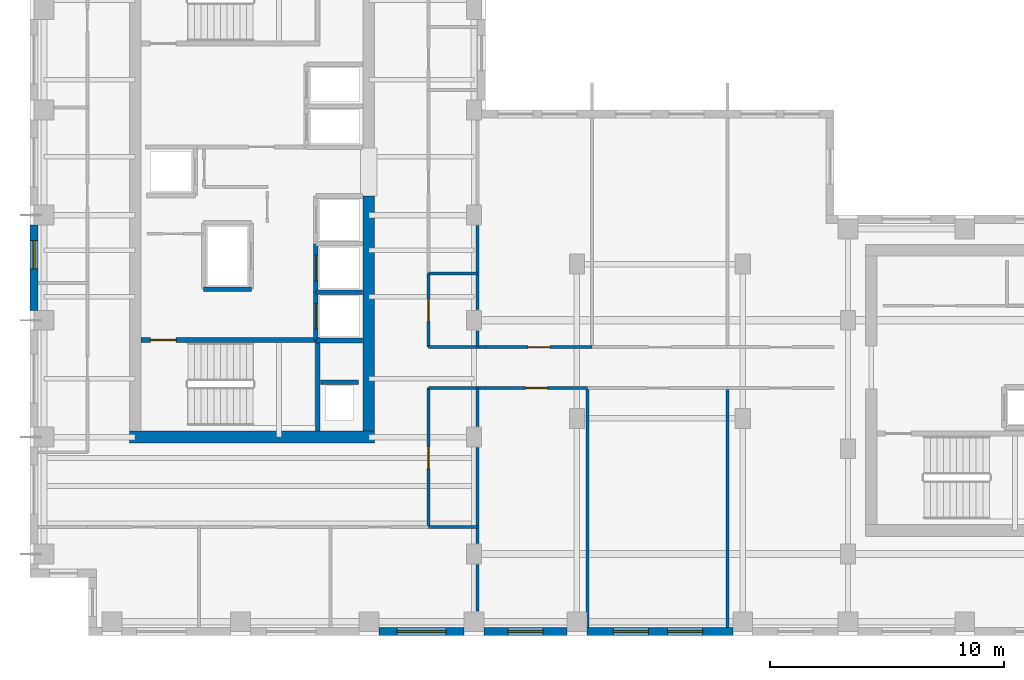
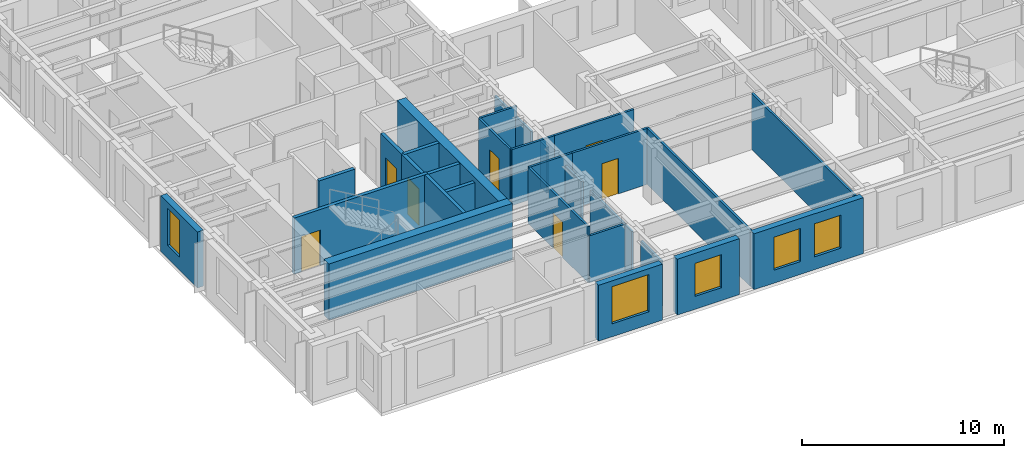
# One storey, part 6 of 13: 29 walls, 7 doors, 5 windows, 12 openings.
"""IFC4 building model written with IfcOpenShell, lengths in metres."""

from ifc_helpers import new_model, si_unit, direction, frame, frame_2d, origin, place, context, subcontext, project, spatial, rectangle, extrude, source, transform, mapped, material, layer, layer_set, type_object, element, fill, save


model = new_model("IFC4")

# Units and contexts
model_context = context("Model", 3, precision=1e-05, world=origin(), true_north=direction((0.0, 1.0)))
body_context = subcontext(model_context, "Body", "Model", "MODEL_VIEW")
ifc_project = project(units=[si_unit("LENGTHUNIT", "METRE"), si_unit("AREAUNIT", "SQUARE_METRE"), si_unit("VOLUMEUNIT", "CUBIC_METRE"), si_unit("PLANEANGLEUNIT", "RADIAN"), si_unit("MASSUNIT", "GRAM", prefix="KILO")], contexts=[model_context])

# Site, building, storey
site_placement = place(None, origin())
site = spatial("IfcSite", under=ifc_project, at=site_placement, CompositionType="ELEMENT")
building_placement = place(site_placement, origin())
building = spatial("IfcBuilding", under=site, at=building_placement, Name="Kharzan Plaza Tower", CompositionType="ELEMENT")
storey_placement = place(building_placement, frame((0.0, 0.0, 252.0)))
storey = spatial("IfcBuildingStorey", under=building, at=storey_placement, Name="L68", CompositionType="ELEMENT", Elevation=252.0)

# Wall, opening, window
ifc_material_1 = material(Name="Concrete C40/50", Category="concrete")
ifc_layer_1 = layer(ifc_material_1, 0.35009765625)
ifc_layer_set_1 = layer_set([ifc_layer_1], Name="Concrete C40/50")
wall_type_1 = type_object("IfcWallType", Name="WL-EXT-MAS-Z4", PredefinedType="SOLIDWALL", material=ifc_layer_set_1)
wall_1_placement = place(storey_placement, frame((0.175048828125, 17.576904296875, 0.0), z_axis=(0.0, 0.0, 1.0), x_axis=(0.0, -1.0, 0.0)))
wall_1 = element("IfcWall", 1, at=wall_1_placement, inside=storey, type_object=wall_type_1, Name="L68 Masonry-Frame Exterior Wall 20", PredefinedType="SOLIDWALL", context=body_context, shape_type="SweptSolid", body=[
    extrude(rectangle(XDim=3.65380859375, YDim=0.35009765625, at=frame_2d((1.826904296875, 0.0))), origin(), (0.0, 0.0, 1.0), 3.385009765625),
])
opening_1_placement = place(wall_1_placement, frame((0.673583984375, 0.0, 0.780029296875)))
opening_1 = element("IfcOpeningElement", 2, at=opening_1_placement, cuts=wall_1, Name="Opening W3", PredefinedType="OPENING", context=body_context, shape_type="SweptSolid", body=[
    extrude(rectangle(XDim=1.199951171875, YDim=2.25, at=frame_2d((0.60009765625, 1.125))), frame((0.0, 0.18505859375, 0.0), z_axis=(0.0, -1.0, 0.0), x_axis=(1.0, 0.0, 0.0)), (0.0, 0.0, 1.0), 0.3701171875),
])
ifc_material_2 = material(Name="Low-E Double Glazing", Category="glass")
window_type_1 = type_object("IfcWindowType", Name="WN-REC-1200x2100", PartitioningType="SINGLE_PANEL", PredefinedType="WINDOW", material=ifc_material_2)
shared_shape_1 = source(origin(), body_context, "Body", "SweptSolid", [
    extrude(rectangle(XDim=1.199951171875, YDim=2.25, at=frame_2d((0.60009765625, 1.125))), frame((0.0, 0.030029296875, 0.0), z_axis=(0.0, -1.0, 0.0), x_axis=(1.0, 0.0, 0.0)), (0.0, 0.0, 1.0), 0.06005859375),
])
window_1_placement = place(opening_1_placement, origin())
window_1 = element("IfcWindow", 3, at=window_1_placement, inside=storey, type_object=window_type_1, Name="L68 Recessed Solar-Control Window 20-1", OverallHeight=2.25, OverallWidth=1.199951171875, PartitioningType="SINGLE_PANEL", PredefinedType="WINDOW", context=body_context, shape_type="MappedRepresentation", body=[
    mapped(shared_shape_1, transform((0.0, 0.0, 0.0), x_axis=(1.0, 0.0, 0.0), y_axis=(0.0, 1.0, 0.0), z_axis=(0.0, 0.0, 1.0))),
])
fill(opening_1, window_1)

wall_2_placement = place(storey_placement, frame((14.923095703125, 0.175048828125, 0.0), z_axis=(0.0, 0.0, 1.0), x_axis=(1.0, 0.0, 0.0)))
wall_2 = element("IfcWall", 4, at=wall_2_placement, inside=storey, type_object=wall_type_1, Name="L68 Masonry-Frame Exterior Wall 29", PredefinedType="SOLIDWALL", context=body_context, shape_type="SweptSolid", body=[
    extrude(rectangle(XDim=3.65380859375, YDim=0.35009765625, at=frame_2d((1.826904296875, 0.0))), origin(), (0.0, 0.0, 1.0), 3.385009765625),
])
opening_2_placement = place(wall_2_placement, frame((0.777099609375, 0.0, 0.780029296875)))
opening_2 = element("IfcOpeningElement", 5, at=opening_2_placement, cuts=wall_2, Name="Opening W6", PredefinedType="OPENING", context=body_context, shape_type="SweptSolid", body=[
    extrude(rectangle(XDim=2.10009765625, YDim=2.25, at=frame_2d((1.050048828125, 1.125))), frame((0.0, 0.18505859375, 0.0), z_axis=(0.0, -1.0, 0.0), x_axis=(1.0, 0.0, 0.0)), (0.0, 0.0, 1.0), 0.3701171875),
])
window_type_2 = type_object("IfcWindowType", Name="WN-EXEC-2100x2250", PartitioningType="SINGLE_PANEL", PredefinedType="WINDOW", material=ifc_material_2)
shared_shape_2 = source(origin(), body_context, "Body", "SweptSolid", [
    extrude(rectangle(XDim=2.10009765625, YDim=2.25, at=frame_2d((1.050048828125, 1.125))), frame((0.0, 0.030029296875, 0.0), z_axis=(0.0, -1.0, 0.0), x_axis=(1.0, 0.0, 0.0)), (0.0, 0.0, 1.0), 0.06005859375),
])
window_2_placement = place(opening_2_placement, origin())
window_2 = element("IfcWindow", 6, at=window_2_placement, inside=storey, type_object=window_type_2, Name="L68 Recessed Solar-Control Window 29-1", OverallHeight=2.25, OverallWidth=2.10009765625, PartitioningType="SINGLE_PANEL", PredefinedType="WINDOW", context=body_context, shape_type="MappedRepresentation", body=[
    mapped(shared_shape_2, transform((0.0, 0.0, 0.0), x_axis=(1.0, 0.0, 0.0), y_axis=(0.0, 1.0, 0.0), z_axis=(0.0, 0.0, 1.0))),
])
fill(opening_2, window_2)

wall_3_placement = place(storey_placement, frame((19.423095703125, 0.175048828125, 0.0), z_axis=(0.0, 0.0, 1.0), x_axis=(1.0, 0.0, 0.0)))
wall_3 = element("IfcWall", 7, at=wall_3_placement, inside=storey, type_object=wall_type_1, Name="L68 Masonry-Frame Exterior Wall 30", PredefinedType="SOLIDWALL", context=body_context, shape_type="SweptSolid", body=[
    extrude(rectangle(XDim=3.553955078125, YDim=0.35009765625, at=frame_2d((1.77685546875, 0.0))), origin(), (0.0, 0.0, 1.0), 3.385009765625),
])
opening_3_placement = place(wall_3_placement, frame((1.027099609375, 0.0, 0.780029296875)))
opening_3 = element("IfcOpeningElement", 8, at=opening_3_placement, cuts=wall_3, Name="Opening W5", PredefinedType="OPENING", context=body_context, shape_type="SweptSolid", body=[
    extrude(rectangle(XDim=1.5, YDim=2.0, at=frame_2d((0.75, 1.0))), frame((0.0, 0.18505859375, 0.0), z_axis=(0.0, -1.0, 0.0), x_axis=(1.0, 0.0, 0.0)), (0.0, 0.0, 1.0), 0.3701171875),
])
window_type_3 = type_object("IfcWindowType", Name="WN-SLT-1500x2000", PartitioningType="SINGLE_PANEL", PredefinedType="WINDOW", material=ifc_material_2)
shared_shape_3 = source(origin(), body_context, "Body", "SweptSolid", [
    extrude(rectangle(XDim=1.5, YDim=2.0, at=frame_2d((0.75, 1.0))), frame((0.0, 0.030029296875, 0.0), z_axis=(0.0, -1.0, 0.0), x_axis=(1.0, 0.0, 0.0)), (0.0, 0.0, 1.0), 0.06005859375),
])
window_3_placement = place(opening_3_placement, origin())
window_3 = element("IfcWindow", 9, at=window_3_placement, inside=storey, type_object=window_type_3, Name="L68 Recessed Solar-Control Window 30-1", OverallHeight=2.0, OverallWidth=1.5, PartitioningType="SINGLE_PANEL", PredefinedType="WINDOW", context=body_context, shape_type="MappedRepresentation", body=[
    mapped(shared_shape_3, transform((0.0, 0.0, 0.0), x_axis=(1.0, 0.0, 0.0), y_axis=(0.0, 1.0, 0.0), z_axis=(0.0, 0.0, 1.0))),
])
fill(opening_3, window_3)

# Wall, openings, windows
wall_4_placement = place(storey_placement, frame((23.822998046875, 0.175048828125, 0.0), z_axis=(0.0, 0.0, 1.0), x_axis=(1.0, 0.0, 0.0)))
wall_4 = element("IfcWall", 10, at=wall_4_placement, inside=storey, type_object=wall_type_1, Name="L68 Masonry-Frame Exterior Wall 31", PredefinedType="SOLIDWALL", context=body_context, shape_type="SweptSolid", body=[
    extrude(rectangle(XDim=6.25390625, YDim=0.35009765625, at=frame_2d((3.126953125, 0.0))), origin(), (0.0, 0.0, 1.0), 3.385009765625),
])
opening_4_placement = place(wall_4_placement, frame((1.138916015625, 0.0, 0.780029296875)))
opening_4 = element("IfcOpeningElement", 11, at=opening_4_placement, cuts=wall_4, Name="Opening W5", PredefinedType="OPENING", context=body_context, shape_type="SweptSolid", body=[
    extrude(rectangle(XDim=1.5, YDim=2.0, at=frame_2d((0.75, 1.0))), frame((0.0, 0.18505859375, 0.0), z_axis=(0.0, -1.0, 0.0), x_axis=(1.0, 0.0, 0.0)), (0.0, 0.0, 1.0), 0.3701171875),
])
opening_5_placement = place(wall_4_placement, frame((3.4580078125, 0.0, 0.780029296875)))
opening_5 = element("IfcOpeningElement", 12, at=opening_5_placement, cuts=wall_4, Name="Opening W5", PredefinedType="OPENING", context=body_context, shape_type="SweptSolid", body=[
    extrude(rectangle(XDim=1.5, YDim=2.0, at=frame_2d((0.75, 1.0))), frame((0.0, 0.18505859375, 0.0), z_axis=(0.0, -1.0, 0.0), x_axis=(1.0, 0.0, 0.0)), (0.0, 0.0, 1.0), 0.3701171875),
])
window_4_placement = place(opening_4_placement, origin())
window_4 = element("IfcWindow", 13, at=window_4_placement, inside=storey, type_object=window_type_3, Name="L68 Recessed Solar-Control Window 31-1", OverallHeight=2.0, OverallWidth=1.5, PartitioningType="SINGLE_PANEL", PredefinedType="WINDOW", context=body_context, shape_type="MappedRepresentation", body=[
    mapped(shared_shape_3, transform((0.0, 0.0, 0.0), x_axis=(1.0, 0.0, 0.0), y_axis=(0.0, 1.0, 0.0), z_axis=(0.0, 0.0, 1.0))),
])
fill(opening_4, window_4)
window_5_placement = place(opening_5_placement, origin())
window_5 = element("IfcWindow", 14, at=window_5_placement, inside=storey, type_object=window_type_3, Name="L68 Recessed Solar-Control Window 31-2", OverallHeight=2.0, OverallWidth=1.5, PartitioningType="SINGLE_PANEL", PredefinedType="WINDOW", context=body_context, shape_type="MappedRepresentation", body=[
    mapped(shared_shape_3, transform((0.0, 0.0, 0.0), x_axis=(1.0, 0.0, 0.0), y_axis=(0.0, 1.0, 0.0), z_axis=(0.0, 0.0, 1.0))),
])
fill(opening_5, window_5)

# Wall, opening, door
ifc_material_3 = material(Name="Fire-Rated Gypsum Board Partition", Category="gypsum")
ifc_layer_2 = layer(ifc_material_3, 0.125)
ifc_layer_set_2 = layer_set([ifc_layer_2], Name="Fire-Rated Gypsum Board Partition")
wall_type_2 = type_object("IfcWallType", Name="WL-INT-PART-125", PredefinedType="PARTITIONING", material=ifc_layer_set_2)
wall_5_placement = place(storey_placement, frame((17.050048828125, 12.35009765625, 0.0), z_axis=(0.0, 0.0, 1.0), x_axis=(0.0, 1.0, 0.0)))
wall_5 = element("IfcWall", 15, at=wall_5_placement, inside=storey, type_object=wall_type_2, Name="L68 Interior Partition SH-AEWN1", PredefinedType="PARTITIONING", context=body_context, shape_type="SweptSolid", body=[
    extrude(rectangle(XDim=3.14990234375, YDim=0.125, at=frame_2d((1.574951171875, 0.0))), origin(), (0.0, 0.0, 1.0), 3.385009765625),
])
opening_6_placement = place(wall_5_placement, frame((1.10009765625, 0.0, 0.0)))
opening_6 = element("IfcOpeningElement", 16, at=opening_6_placement, cuts=wall_5, Name="Opening OD1", PredefinedType="OPENING", context=body_context, shape_type="SweptSolid", body=[
    extrude(rectangle(XDim=0.949951171875, YDim=2.14990234375, at=frame_2d((0.47509765625, 1.074951171875))), frame((0.0, 0.072509765625, 0.0), z_axis=(0.0, -1.0, 0.0), x_axis=(1.0, 0.0, 0.0)), (0.0, 0.0, 1.0), 0.14501953125),
])
ifc_material_4 = material(Name="Acoustic Solid-Core Stained Oak", Category="timber")
door_type_1 = type_object("IfcDoorType", Name="DR-OFF-SINGLE", OperationType="NOTDEFINED", PredefinedType="DOOR", material=ifc_material_4)
shared_shape_4 = source(origin(), body_context, "Body", "SweptSolid", [
    extrude(rectangle(XDim=0.949951171875, YDim=2.14990234375, at=frame_2d((0.47509765625, 1.074951171875))), frame((0.0, 0.02490234375, 0.0), z_axis=(0.0, -1.0, 0.0), x_axis=(1.0, 0.0, 0.0)), (0.0, 0.0, 1.0), 0.050048828125),
])
door_1_placement = place(opening_6_placement, origin())
door_1 = element("IfcDoor", 17, at=door_1_placement, inside=storey, type_object=door_type_1, Name="L68 Slot Collaboration Door", OperationType="SINGLE_SWING_LEFT", OverallHeight=2.14990234375, OverallWidth=0.949951171875, PredefinedType="DOOR", context=body_context, shape_type="MappedRepresentation", body=[
    mapped(shared_shape_4, transform((0.0, 0.0, 0.0), x_axis=(1.0, 0.0, 0.0), y_axis=(0.0, 1.0, 0.0), z_axis=(0.0, 0.0, 1.0))),
])
fill(opening_6, door_1)

wall_6_placement = place(storey_placement, frame((17.050048828125, 4.64990234375, 0.0), z_axis=(0.0, 0.0, 1.0), x_axis=(0.0, 1.0, 0.0)))
wall_6 = element("IfcWall", 18, at=wall_6_placement, inside=storey, type_object=wall_type_2, Name="L68 Interior Partition SH-AEWS", PredefinedType="PARTITIONING", context=body_context, shape_type="SweptSolid", body=[
    extrude(rectangle(XDim=5.9501953125, YDim=0.125, at=frame_2d((2.97509765625, 0.0))), origin(), (0.0, 0.0, 1.0), 3.385009765625),
])
opening_7_placement = place(wall_6_placement, frame((2.5, 0.0, 0.0)))
opening_7 = element("IfcOpeningElement", 19, at=opening_7_placement, cuts=wall_6, Name="Opening OD1", PredefinedType="OPENING", context=body_context, shape_type="SweptSolid", body=[
    extrude(rectangle(XDim=0.949951171875, YDim=2.14990234375, at=frame_2d((0.47509765625, 1.074951171875))), frame((0.0, 0.072509765625, 0.0), z_axis=(0.0, -1.0, 0.0), x_axis=(1.0, 0.0, 0.0)), (0.0, 0.0, 1.0), 0.14501953125),
])
door_2_placement = place(opening_7_placement, origin())
door_2 = element("IfcDoor", 20, at=door_2_placement, inside=storey, type_object=door_type_1, Name="L68 Slot South Office Door", OperationType="SINGLE_SWING_RIGHT", OverallHeight=2.14990234375, OverallWidth=0.949951171875, PredefinedType="DOOR", context=body_context, shape_type="MappedRepresentation", body=[
    mapped(shared_shape_4, transform((0.0, 0.0, 0.0), x_axis=(1.0, 0.0, 0.0), y_axis=(0.0, 1.0, 0.0), z_axis=(0.0, 0.0, 1.0))),
])
fill(opening_7, door_2)

wall_7_placement = place(storey_placement, frame((19.5, 12.35009765625, 0.0), z_axis=(0.0, 0.0, 1.0), x_axis=(1.0, 0.0, 0.0)))
wall_7 = element("IfcWall", 21, at=wall_7_placement, inside=storey, type_object=wall_type_2, Name="L68 Interior Partition SH-SPNW1", PredefinedType="PARTITIONING", context=body_context, shape_type="SweptSolid", body=[
    extrude(rectangle(XDim=4.550048828125, YDim=0.125, at=frame_2d((2.27490234375, 0.0))), origin(), (0.0, 0.0, 1.0), 3.385009765625),
])
opening_8_placement = place(wall_7_placement, frame((1.800048828125, 0.0, 0.0)))
opening_8 = element("IfcOpeningElement", 22, at=opening_8_placement, cuts=wall_7, Name="Opening OD1", PredefinedType="OPENING", context=body_context, shape_type="SweptSolid", body=[
    extrude(rectangle(XDim=0.949951171875, YDim=2.14990234375, at=frame_2d((0.47509765625, 1.074951171875))), frame((0.0, 0.072509765625, 0.0), z_axis=(0.0, -1.0, 0.0), x_axis=(1.0, 0.0, 0.0)), (0.0, 0.0, 1.0), 0.14501953125),
])
door_3_placement = place(opening_8_placement, origin())
door_3 = element("IfcDoor", 23, at=door_3_placement, inside=storey, type_object=door_type_1, Name="L68 North-West Spine Door", OperationType="SINGLE_SWING_RIGHT", OverallHeight=2.14990234375, OverallWidth=0.949951171875, PredefinedType="DOOR", context=body_context, shape_type="MappedRepresentation", body=[
    mapped(shared_shape_4, transform((0.0, 0.0, 0.0), x_axis=(1.0, 0.0, 0.0), y_axis=(0.0, 1.0, 0.0), z_axis=(0.0, 0.0, 1.0))),
])
fill(opening_8, door_3)

wall_8_placement = place(storey_placement, frame((19.5, 10.60009765625, 0.0), z_axis=(0.0, 0.0, 1.0), x_axis=(1.0, 0.0, 0.0)))
wall_8 = element("IfcWall", 24, at=wall_8_placement, inside=storey, type_object=wall_type_2, Name="L68 Interior Partition SH-SPS1", PredefinedType="PARTITIONING", context=body_context, shape_type="SweptSolid", body=[
    extrude(rectangle(XDim=4.35009765625, YDim=0.125, at=frame_2d((2.175048828125, 0.0))), origin(), (0.0, 0.0, 1.0), 3.385009765625),
])
opening_9_placement = place(wall_8_placement, frame((1.699951171875, 0.0, 0.0)))
opening_9 = element("IfcOpeningElement", 25, at=opening_9_placement, cuts=wall_8, Name="Opening OD1", PredefinedType="OPENING", context=body_context, shape_type="SweptSolid", body=[
    extrude(rectangle(XDim=0.949951171875, YDim=2.14990234375, at=frame_2d((0.47509765625, 1.074951171875))), frame((0.0, 0.072509765625, 0.0), z_axis=(0.0, -1.0, 0.0), x_axis=(1.0, 0.0, 0.0)), (0.0, 0.0, 1.0), 0.14501953125),
])
door_4_placement = place(opening_9_placement, origin())
door_4 = element("IfcDoor", 26, at=door_4_placement, inside=storey, type_object=door_type_1, Name="L68 Spine Studio 1 Door", OperationType="SINGLE_SWING_LEFT", OverallHeight=2.14990234375, OverallWidth=0.949951171875, PredefinedType="DOOR", context=body_context, shape_type="MappedRepresentation", body=[
    mapped(shared_shape_4, transform((0.0, 0.0, 0.0), x_axis=(1.0, 0.0, 0.0), y_axis=(0.0, 1.0, 0.0), z_axis=(0.0, 0.0, 1.0))),
])
fill(opening_9, door_4)

ifc_layer_3 = layer(ifc_material_1, 0.199951171875)
ifc_layer_set_3 = layer_set([ifc_layer_3], Name="Concrete C40/50")
wall_type_3 = type_object("IfcWallType", Name="WL-INT-SHAFT-200", PredefinedType="PARTITIONING", material=ifc_layer_set_3)
wall_9_placement = place(storey_placement, frame((12.22998046875, 12.6298828125, 0.0), z_axis=(0.0, 0.0, 1.0), x_axis=(0.0, 1.0, 0.0)))
wall_9 = element("IfcWall", 27, at=wall_9_placement, inside=storey, type_object=wall_type_3, Name="L68 Interior Partition SHF-PL-H1-W", PredefinedType="PARTITIONING", context=body_context, shape_type="SweptSolid", body=[
    extrude(rectangle(XDim=2.070068359375, YDim=0.199951171875, at=frame_2d((1.03515625, 0.0))), origin(), (0.0, 0.0, 1.0), 3.385009765625),
])
opening_10_placement = place(wall_9_placement, frame((0.485107421875, 0.0, 0.0)))
opening_10 = element("IfcOpeningElement", 28, at=opening_10_placement, cuts=wall_9, Name="Opening LD", PredefinedType="OPENING", context=body_context, shape_type="SweptSolid", body=[
    extrude(rectangle(XDim=1.10009765625, YDim=2.199951171875, at=frame_2d((0.550048828125, 1.10009765625))), frame((0.0, 0.10986328125, 0.0), z_axis=(0.0, -1.0, 0.0), x_axis=(1.0, 0.0, 0.0)), (0.0, 0.0, 1.0), 0.219970703125),
])
ifc_material_5 = material(Name="Brushed Stainless Steel", Category="steel")
door_type_2 = type_object("IfcDoorType", Name="DR-LIFT-SLIDE", OperationType="SLIDING_TO_LEFT", PredefinedType="DOOR", material=ifc_material_5)
shared_shape_5 = source(origin(), body_context, "Body", "SweptSolid", [
    extrude(rectangle(XDim=1.10009765625, YDim=2.199951171875, at=frame_2d((0.550048828125, 1.10009765625))), frame((0.0, 0.02490234375, 0.0), z_axis=(0.0, -1.0, 0.0), x_axis=(1.0, 0.0, 0.0)), (0.0, 0.0, 1.0), 0.050048828125),
])
door_5_placement = place(opening_10_placement, origin())
door_5 = element("IfcDoor", 29, at=door_5_placement, inside=storey, type_object=door_type_2, Name="L68 High-Rise Passenger Lift PL-H1 Sliding Landing Door", OperationType="SLIDING_TO_LEFT", OverallHeight=2.199951171875, OverallWidth=1.10009765625, PredefinedType="DOOR", context=body_context, shape_type="MappedRepresentation", body=[
    mapped(shared_shape_5, transform((0.0, 0.0, 0.0), x_axis=(1.0, 0.0, 0.0), y_axis=(0.0, 1.0, 0.0), z_axis=(0.0, 0.0, 1.0))),
])
fill(opening_10, door_5)

wall_10_placement = place(storey_placement, frame((12.22998046875, 14.699951171875, 0.0), z_axis=(0.0, 0.0, 1.0), x_axis=(0.0, 1.0, 0.0)))
wall_10 = element("IfcWall", 30, at=wall_10_placement, inside=storey, type_object=wall_type_3, Name="L68 Interior Partition SHF-PL-H2-W", PredefinedType="PARTITIONING", context=body_context, shape_type="SweptSolid", body=[
    extrude(rectangle(XDim=2.070068359375, YDim=0.199951171875, at=frame_2d((1.03515625, 0.0))), origin(), (0.0, 0.0, 1.0), 3.385009765625),
])
opening_11_placement = place(wall_10_placement, frame((0.485107421875, 0.0, 0.0)))
opening_11 = element("IfcOpeningElement", 31, at=opening_11_placement, cuts=wall_10, Name="Opening LD", PredefinedType="OPENING", context=body_context, shape_type="SweptSolid", body=[
    extrude(rectangle(XDim=1.10009765625, YDim=2.199951171875, at=frame_2d((0.550048828125, 1.10009765625))), frame((0.0, 0.10986328125, 0.0), z_axis=(0.0, -1.0, 0.0), x_axis=(1.0, 0.0, 0.0)), (0.0, 0.0, 1.0), 0.219970703125),
])
door_6_placement = place(opening_11_placement, origin())
door_6 = element("IfcDoor", 32, at=door_6_placement, inside=storey, type_object=door_type_2, Name="L68 High-Rise Passenger Lift PL-H2 Sliding Landing Door", OperationType="SLIDING_TO_LEFT", OverallHeight=2.199951171875, OverallWidth=1.10009765625, PredefinedType="DOOR", context=body_context, shape_type="MappedRepresentation", body=[
    mapped(shared_shape_5, transform((0.0, 0.0, 0.0), x_axis=(1.0, 0.0, 0.0), y_axis=(0.0, 1.0, 0.0), z_axis=(0.0, 0.0, 1.0))),
])
fill(opening_11, door_6)

ifc_material_6 = material(Name="Concrete C50/60", Category="concrete")
ifc_layer_4 = layer(ifc_material_6, 0.199951171875)
ifc_layer_set_4 = layer_set([ifc_layer_4], Name="Concrete C50/60")
wall_type_4 = type_object("IfcWallType", Name="WL-SHAFT-RC200", PredefinedType="SHEAR", material=ifc_layer_set_4)
wall_11_placement = place(storey_placement, frame((4.751953125, 12.655029296875, 0.0), z_axis=(0.0, 0.0, 1.0), x_axis=(1.0, 0.0, 0.0)))
wall_11 = element("IfcWall", 33, at=wall_11_placement, inside=storey, type_object=wall_type_4, Name="L68 Stair ST-1 North RC Shaft Wall", PredefinedType="SHEAR", context=body_context, shape_type="SweptSolid", body=[
    extrude(rectangle(XDim=7.653076171875, YDim=0.199951171875, at=frame_2d((3.82666015625, 0.0))), origin(), (0.0, 0.0, 1.0), 3.39990234375),
])
opening_12_placement = place(wall_11_placement, frame((0.39990234375, 0.0, 0.0)))
opening_12 = element("IfcOpeningElement", 34, at=opening_12_placement, cuts=wall_11, Name="Opening SD1", PredefinedType="OPENING", context=body_context, shape_type="SweptSolid", body=[
    extrude(rectangle(XDim=1.10009765625, YDim=2.14990234375, at=frame_2d((0.550048828125, 1.074951171875))), frame((0.0, 0.10986328125, 0.0), z_axis=(0.0, -1.0, 0.0), x_axis=(1.0, 0.0, 0.0)), (0.0, 0.0, 1.0), 0.219970703125),
])
ifc_material_7 = material(Name="Fire-Rated Hollow Galvanized Steel", Category="steel")
door_type_3 = type_object("IfcDoorType", Name="DR-STAIR-FD120", OperationType="NOTDEFINED", PredefinedType="DOOR", material=ifc_material_7)
shared_shape_6 = source(origin(), body_context, "Body", "SweptSolid", [
    extrude(rectangle(XDim=1.10009765625, YDim=2.14990234375, at=frame_2d((0.550048828125, 1.074951171875))), frame((0.0, 0.02490234375, 0.0), z_axis=(0.0, -1.0, 0.0), x_axis=(1.0, 0.0, 0.0)), (0.0, 0.0, 1.0), 0.050048828125),
])
door_7_placement = place(opening_12_placement, origin())
door_7 = element("IfcDoor", 35, at=door_7_placement, inside=storey, type_object=door_type_3, Name="L68 Stair ST-1 Fire Exit Door", OperationType="SINGLE_SWING_RIGHT", OverallHeight=2.14990234375, OverallWidth=1.10009765625, PredefinedType="DOOR", context=body_context, shape_type="MappedRepresentation", body=[
    mapped(shared_shape_6, transform((0.0, 0.0, 0.0), x_axis=(1.0, 0.0, 0.0), y_axis=(0.0, 1.0, 0.0), z_axis=(0.0, 0.0, 1.0))),
])
fill(opening_12, door_7)

# Walls
shared_shape_7 = source(origin(), body_context, "Body", "SweptSolid", [
    extrude(rectangle(XDim=2.099853515625, YDim=0.125, at=frame_2d((1.0498046875, 0.0))), origin(), (0.0, 0.0, 1.0), 3.385009765625),
])
wall_12_placement = place(storey_placement, frame((17.050048828125, 15.5, 0.0), z_axis=(0.0, 0.0, 1.0), x_axis=(1.0, 0.0, 0.0)))
element("IfcWall", 36, at=wall_12_placement, inside=storey, type_object=wall_type_2, Name="L68 Interior Partition SH-AEH-155", PredefinedType="PARTITIONING", context=body_context, shape_type="MappedRepresentation", body=[
    mapped(shared_shape_7, transform((0.0, 0.0, 0.0), x_axis=(1.0, 0.0, 0.0), y_axis=(0.0, 1.0, 0.0), z_axis=(0.0, 0.0, 1.0))),
])
shared_shape_8 = source(origin(), body_context, "Body", "SweptSolid", [
    extrude(rectangle(XDim=2.449951171875, YDim=0.125, at=frame_2d((1.22509765625, 0.0))), origin(), (0.0, 0.0, 1.0), 3.385009765625),
])
for number, where, z_axis, x_axis, name in (
    (37, (17.050048828125, 12.35009765625, 0.0), (0.0, 0.0, 1.0), (1.0, 0.0, 0.0), "L68 Interior Partition SH-SPNW0"),
    (38, (17.050048828125, 10.60009765625, 0.0), (0.0, 0.0, 1.0), (1.0, 0.0, 0.0), "L68 Interior Partition SH-SPS0"),
):
    element("IfcWall", number, at=place(storey_placement, frame(where, z_axis=z_axis, x_axis=x_axis)), inside=storey, type_object=wall_type_2, Name=name, PredefinedType="PARTITIONING", context=body_context, shape_type="MappedRepresentation", body=[
        mapped(shared_shape_8, transform((0.0, 0.0, 0.0), x_axis=(1.0, 0.0, 0.0), y_axis=(0.0, 1.0, 0.0), z_axis=(0.0, 0.0, 1.0))),
    ])
shared_shape_9 = source(origin(), body_context, "Body", "SweptSolid", [
    extrude(rectangle(XDim=2.099853515625, YDim=0.125, at=frame_2d((1.0498046875, 0.0))), origin(), (0.0, 0.0, 1.0), 2.847900390625),
])
wall_13_placement = place(storey_placement, frame((17.050048828125, 4.64990234375, 0.0), z_axis=(0.0, 0.0, 1.0), x_axis=(1.0, 0.0, 0.0)))
element("IfcWall", 39, at=wall_13_placement, inside=storey, type_object=wall_type_2, Name="L68 Interior Partition SH-SSE-3", PredefinedType="PARTITIONING", context=body_context, shape_type="MappedRepresentation", body=[
    mapped(shared_shape_9, transform((0.0, 0.0, 0.0), x_axis=(1.0, 0.0, 0.0), y_axis=(0.0, 1.0, 0.0), z_axis=(0.0, 0.0, 1.0))),
])
shared_shape_10 = source(origin(), body_context, "Body", "SweptSolid", [
    extrude(rectangle(XDim=1.630126953125, YDim=0.199951171875, at=frame_2d((0.81494140625, 0.0))), origin(), (0.0, 0.0, 1.0), 3.385009765625),
])
wall_14_placement = place(storey_placement, frame((12.419921875, 10.85009765625, 0.0), z_axis=(0.0, 0.0, 1.0), x_axis=(1.0, 0.0, 0.0)))
element("IfcWall", 40, at=wall_14_placement, inside=storey, type_object=wall_type_3, Name="L68 Interior Partition CA-RSRA-N", PredefinedType="PARTITIONING", context=body_context, shape_type="MappedRepresentation", body=[
    mapped(shared_shape_10, transform((0.0, 0.0, 0.0), x_axis=(1.0, 0.0, 0.0), y_axis=(0.0, 1.0, 0.0), z_axis=(0.0, 0.0, 1.0))),
])
shared_shape_11 = source(origin(), body_context, "Body", "SweptSolid", [
    extrude(rectangle(XDim=2.0400390625, YDim=0.199951171875, at=frame_2d((1.02001953125, 0.0))), origin(), (0.0, 0.0, 1.0), 3.385009765625),
])
wall_15_placement = place(storey_placement, frame((7.429931640625, 14.830078125, 0.0), z_axis=(0.0, 0.0, 1.0), x_axis=(1.0, 0.0, 0.0)))
element("IfcWall", 41, at=wall_15_placement, inside=storey, type_object=wall_type_3, Name="L68 Interior Partition SHF-SVL-1-S", PredefinedType="PARTITIONING", context=body_context, shape_type="MappedRepresentation", body=[
    mapped(shared_shape_11, transform((0.0, 0.0, 0.0), x_axis=(1.0, 0.0, 0.0), y_axis=(0.0, 1.0, 0.0), z_axis=(0.0, 0.0, 1.0))),
])
shared_shape_12 = source(origin(), body_context, "Body", "SweptSolid", [
    extrude(rectangle(XDim=1.989990234375, YDim=0.199951171875, at=frame_2d((0.9951171875, 0.0))), origin(), (0.0, 0.0, 1.0), 3.385009765625),
])
for number, where, z_axis, x_axis, name in (
    (42, (12.22998046875, 14.699951171875, 0.0), (0.0, 0.0, 1.0), (1.0, 0.0, 0.0), "L68 Interior Partition SHF-PL-H1-N"),
    (43, (12.22998046875, 12.6298828125, 0.0), (0.0, 0.0, 1.0), (1.0, 0.0, 0.0), "L68 Interior Partition SHF-PL-H1-S"),
):
    element("IfcWall", number, at=place(storey_placement, frame(where, z_axis=z_axis, x_axis=x_axis)), inside=storey, type_object=wall_type_3, Name=name, PredefinedType="PARTITIONING", context=body_context, shape_type="MappedRepresentation", body=[
        mapped(shared_shape_12, transform((0.0, 0.0, 0.0), x_axis=(1.0, 0.0, 0.0), y_axis=(0.0, 1.0, 0.0), z_axis=(0.0, 0.0, 1.0))),
    ])
ifc_layer_5 = layer(ifc_material_6, 0.5)
ifc_layer_set_5 = layer_set([ifc_layer_5], Name="Concrete C50/60")
wall_type_5 = type_object("IfcWallType", Name="WL-CORE-500", PredefinedType="SHEAR", material=ifc_layer_set_5)
shared_shape_13 = source(origin(), body_context, "Body", "SweptSolid", [
    extrude(rectangle(XDim=10.070068359375, YDim=0.5, at=frame_2d((5.03515625, 0.0))), origin(), (0.0, 0.0, 1.0), 3.39990234375),
])
wall_16_placement = place(storey_placement, frame((14.5, 8.75, 0.0), z_axis=(0.0, 0.0, 1.0), x_axis=(0.0, 1.0, 0.0)))
element("IfcWall", 44, at=wall_16_placement, inside=storey, type_object=wall_type_5, Name="L68 CORE-A east shear pier 1", PredefinedType="SHEAR", context=body_context, shape_type="MappedRepresentation", body=[
    mapped(shared_shape_13, transform((0.0, 0.0, 0.0), x_axis=(1.0, 0.0, 0.0), y_axis=(0.0, 1.0, 0.0), z_axis=(0.0, 0.0, 1.0))),
])
shared_shape_14 = source(origin(), body_context, "Body", "SweptSolid", [
    extrude(rectangle(XDim=10.5, YDim=0.5, at=frame_2d((5.25, 0.0))), origin(), (0.0, 0.0, 1.0), 3.39990234375),
])
wall_17_placement = place(storey_placement, frame((4.25, 8.5, 0.0), z_axis=(0.0, 0.0, 1.0), x_axis=(1.0, 0.0, 0.0)))
element("IfcWall", 45, at=wall_17_placement, inside=storey, type_object=wall_type_5, Name="L68 CORE-A south RC shear wall", PredefinedType="SHEAR", context=body_context, shape_type="MappedRepresentation", body=[
    mapped(shared_shape_14, transform((0.0, 0.0, 0.0), x_axis=(1.0, 0.0, 0.0), y_axis=(0.0, 1.0, 0.0), z_axis=(0.0, 0.0, 1.0))),
])
shared_shape_15 = source(origin(), body_context, "Body", "SweptSolid", [
    extrude(rectangle(XDim=0.699951171875, YDim=0.125, at=frame_2d((0.35009765625, 0.0))), origin(), (0.0, 0.0, 1.0), 2.77294921875),
])
wall_18_placement = place(storey_placement, frame((19.14990234375, 12.35009765625, 0.0), z_axis=(0.0, 0.0, 1.0), x_axis=(0.0, 1.0, 0.0)))
element("IfcWall", 46, at=wall_18_placement, inside=storey, type_object=wall_type_2, Name="L68 Interior Partition SH-AEN-DIV-S1", PredefinedType="PARTITIONING", context=body_context, shape_type="MappedRepresentation", body=[
    mapped(shared_shape_15, transform((0.0, 0.0, 0.0), x_axis=(1.0, 0.0, 0.0), y_axis=(0.0, 1.0, 0.0), z_axis=(0.0, 0.0, 1.0))),
])
shared_shape_16 = source(origin(), body_context, "Body", "SweptSolid", [
    extrude(rectangle(XDim=3.60009765625, YDim=0.125, at=frame_2d((1.800048828125, 0.0))), origin(), (0.0, 0.0, 1.0), 2.77294921875),
])
wall_19_placement = place(storey_placement, frame((19.14990234375, 13.949951171875, 0.0), z_axis=(0.0, 0.0, 1.0), x_axis=(0.0, 1.0, 0.0)))
element("IfcWall", 47, at=wall_19_placement, inside=storey, type_object=wall_type_2, Name="L68 Interior Partition SH-AEN-DIV-S2", PredefinedType="PARTITIONING", context=body_context, shape_type="MappedRepresentation", body=[
    mapped(shared_shape_16, transform((0.0, 0.0, 0.0), x_axis=(1.0, 0.0, 0.0), y_axis=(0.0, 1.0, 0.0), z_axis=(0.0, 0.0, 1.0))),
])
shared_shape_17 = source(origin(), body_context, "Body", "SweptSolid", [
    extrude(rectangle(XDim=1.650146484375, YDim=0.125, at=frame_2d((0.8251953125, 0.0))), origin(), (0.0, 0.0, 1.0), 2.77294921875),
])
wall_20_placement = place(storey_placement, frame((19.14990234375, 8.949951171875, 0.0), z_axis=(0.0, 0.0, 1.0), x_axis=(0.0, 1.0, 0.0)))
element("IfcWall", 48, at=wall_20_placement, inside=storey, type_object=wall_type_2, Name="L68 Interior Partition SH-AESP-DIV-S3", PredefinedType="PARTITIONING", context=body_context, shape_type="MappedRepresentation", body=[
    mapped(shared_shape_17, transform((0.0, 0.0, 0.0), x_axis=(1.0, 0.0, 0.0), y_axis=(0.0, 1.0, 0.0), z_axis=(0.0, 0.0, 1.0))),
])
shared_shape_18 = source(origin(), body_context, "Body", "SweptSolid", [
    extrude(rectangle(XDim=3.802978515625, YDim=0.199951171875, at=frame_2d((1.9013671875, 0.0))), origin(), (0.0, 0.0, 1.0), 3.39990234375),
])
wall_21_placement = place(storey_placement, frame((12.304931640625, 8.751953125, 0.0), z_axis=(0.0, 0.0, 1.0), x_axis=(0.0, 1.0, 0.0)))
element("IfcWall", 49, at=wall_21_placement, inside=storey, type_object=wall_type_4, Name="L68 Stair ST-1 East RC Shaft Wall", PredefinedType="SHEAR", context=body_context, shape_type="MappedRepresentation", body=[
    mapped(shared_shape_18, transform((0.0, 0.0, 0.0), x_axis=(1.0, 0.0, 0.0), y_axis=(0.0, 1.0, 0.0), z_axis=(0.0, 0.0, 1.0))),
])
shared_shape_19 = source(origin(), body_context, "Body", "SweptSolid", [
    extrude(rectangle(XDim=2.0, YDim=0.125, at=frame_2d((1.0, 0.0))), origin(), (0.0, 0.0, 1.0), 2.77294921875),
])
wall_22_placement = place(storey_placement, frame((19.14990234375, 1.050048828125, 0.0), z_axis=(0.0, 0.0, 1.0), x_axis=(0.0, 1.0, 0.0)))
element("IfcWall", 50, at=wall_22_placement, inside=storey, type_object=wall_type_2, Name="L68 Interior Partition SH-AESP-DIV-S1", PredefinedType="PARTITIONING", context=body_context, shape_type="MappedRepresentation", body=[
    mapped(shared_shape_19, transform((0.0, 0.0, 0.0), x_axis=(1.0, 0.0, 0.0), y_axis=(0.0, 1.0, 0.0), z_axis=(0.0, 0.0, 1.0))),
])
shared_shape_20 = source(origin(), body_context, "Body", "SweptSolid", [
    extrude(rectangle(XDim=4.10009765625, YDim=0.125, at=frame_2d((2.050048828125, 0.0))), origin(), (0.0, 0.0, 1.0), 2.77294921875),
])
wall_23_placement = place(storey_placement, frame((19.14990234375, 3.949951171875, 0.0), z_axis=(0.0, 0.0, 1.0), x_axis=(0.0, 1.0, 0.0)))
element("IfcWall", 51, at=wall_23_placement, inside=storey, type_object=wall_type_2, Name="L68 Interior Partition SH-AESP-DIV-S2", PredefinedType="PARTITIONING", context=body_context, shape_type="MappedRepresentation", body=[
    mapped(shared_shape_20, transform((0.0, 0.0, 0.0), x_axis=(1.0, 0.0, 0.0), y_axis=(0.0, 1.0, 0.0), z_axis=(0.0, 0.0, 1.0))),
])
shared_shape_21 = source(origin(), body_context, "Body", "SweptSolid", [
    extrude(rectangle(XDim=10.248046875, YDim=0.125, at=frame_2d((5.1240234375, 0.0))), origin(), (0.0, 0.0, 1.0), 3.385009765625),
])
for number, where, z_axis, x_axis, name in (
    (52, (23.85009765625, 0.35205078125, 0.0), (0.0, 0.0, 1.0), (0.0, 1.0, 0.0), "L68 Interior Partition SH-SPSV1"),
    (53, (29.85009765625, 0.35205078125, 0.0), (0.0, 0.0, 1.0), (0.0, 1.0, 0.0), "L68 Interior Partition SH-SPSV2"),
):
    element("IfcWall", number, at=place(storey_placement, frame(where, z_axis=z_axis, x_axis=x_axis)), inside=storey, type_object=wall_type_2, Name=name, PredefinedType="PARTITIONING", context=body_context, shape_type="MappedRepresentation", body=[
        mapped(shared_shape_21, transform((0.0, 0.0, 0.0), x_axis=(1.0, 0.0, 0.0), y_axis=(0.0, 1.0, 0.0), z_axis=(0.0, 0.0, 1.0))),
    ])

save(model, "model.ifc")
